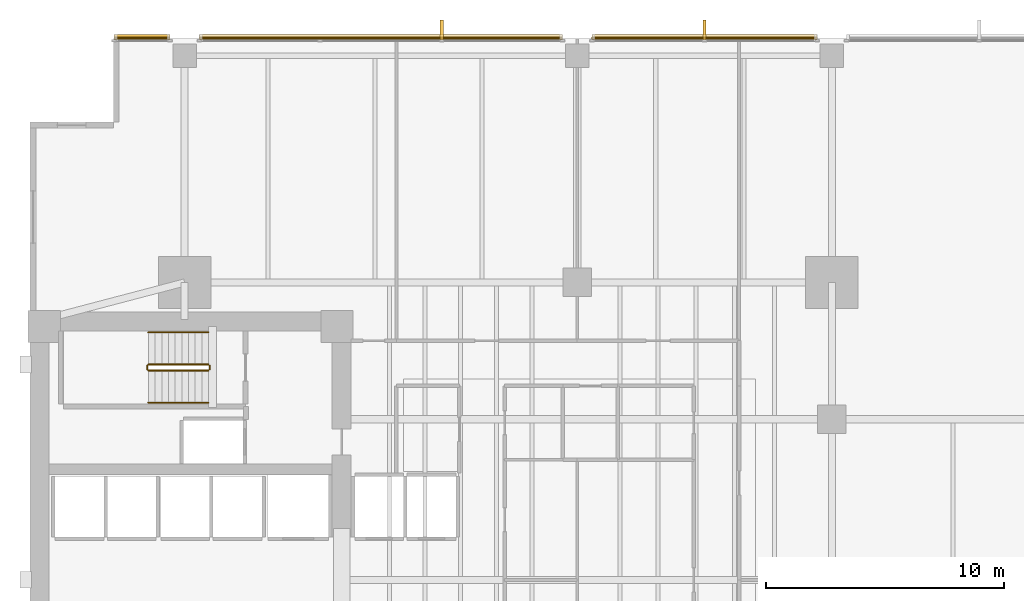
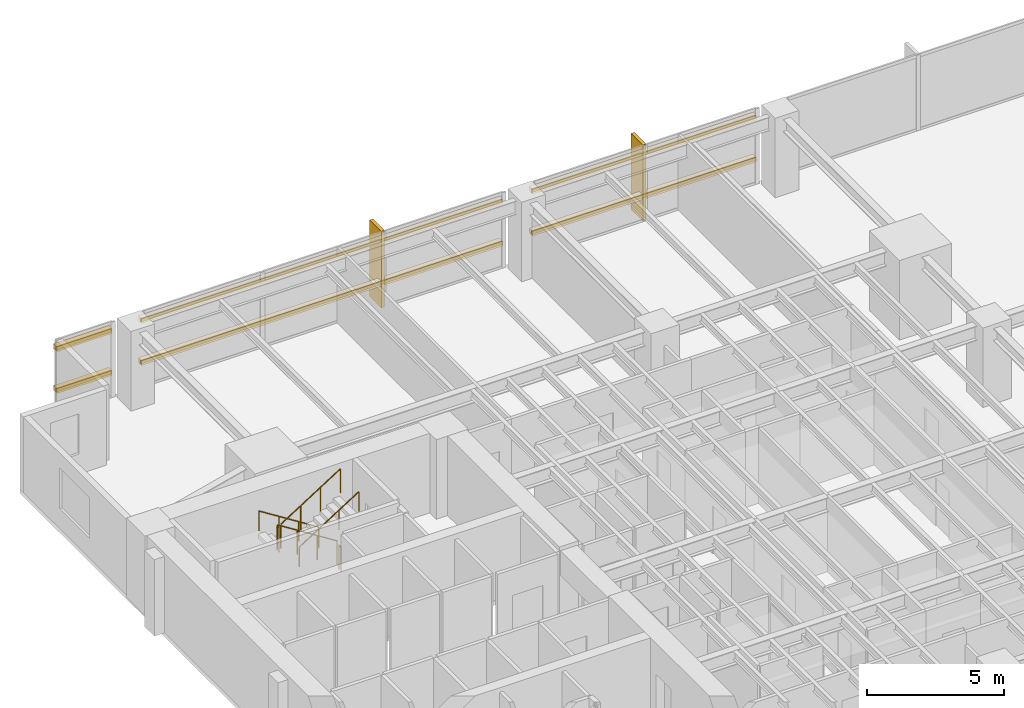
# One storey, part 14 of 15: 8 coverings, 6 railings, 6 shading devices.
"""IFC4 building model written with IfcOpenShell, lengths in metres."""

from ifc_helpers import new_model, si_unit, direction, frame, origin, origin_2d, place, context, subcontext, project, spatial, polyline, rectangle, circle, outline, extrude, material, layer, layer_set, material_profile, profile_set, type_object, element, save


model = new_model("IFC4")

# Units and contexts
model_context = context("Model", 3, precision=1e-05, world=origin(), true_north=direction((0.0, 1.0)))
body_context = subcontext(model_context, "Body", "Model", "MODEL_VIEW")
ifc_project = project(units=[si_unit("LENGTHUNIT", "METRE"), si_unit("AREAUNIT", "SQUARE_METRE"), si_unit("VOLUMEUNIT", "CUBIC_METRE"), si_unit("PLANEANGLEUNIT", "RADIAN"), si_unit("MASSUNIT", "GRAM", prefix="KILO")], contexts=[model_context])

# Site, building, storey
site_placement = place(None, origin())
site = spatial("IfcSite", under=ifc_project, at=site_placement, CompositionType="ELEMENT")
building_placement = place(site_placement, origin())
building = spatial("IfcBuilding", under=site, at=building_placement, Name="Kinhvarn Gate Tower", CompositionType="ELEMENT")
storey_placement = place(building_placement, frame((0.0, 0.0, 43.35009765625)))
storey = spatial("IfcBuildingStorey", under=building, at=storey_placement, Name="L10", CompositionType="ELEMENT", Elevation=43.35009765625)

# Coverings
ifc_material_1 = material(Name="Fired architectural terracotta", Category="masonry")
ifc_layer_1 = layer(ifc_material_1, 0.239990234375)
ifc_layer_set_1 = layer_set([ifc_layer_1], Name="Fired architectural terracotta")
covering_type_1 = type_object("IfcCoveringType", Name="COV-BAG-220", PredefinedType="CLADDING", material=ifc_layer_set_1)
for number, where, name in (
    (1, (0.0, 0.0, 0.93994140625), "Terracotta Horizontal Sunscreen Band TBG-220 (L10)"),
    (2, (0.0, 0.0, 2.809814453125), "Terracotta Horizontal Sunscreen Band TBG-220 (L10)"),
):
    element("IfcCovering", number, at=place(storey_placement, frame(where)), inside=storey, type_object=covering_type_1, Name=name, PredefinedType="CLADDING", context=body_context, shape_type="SweptSolid", body=[
        extrude(outline(polyline([(37.580078125, 47.93994140625), (28.1201171875, 47.93994140625), (28.1201171875, 48.179931640625), (37.580078125, 48.179931640625), (37.580078125, 47.93994140625)])), origin(), (0.0, 0.0, 1.0), 0.219970703125),
    ])
for number, where, name in (
    (3, (0.0, 0.0, 0.93994140625), "Terracotta Horizontal Sunscreen Band TBG-220 (L10)"),
    (4, (0.0, 0.0, 2.809814453125), "Terracotta Horizontal Sunscreen Band TBG-220 (L10)"),
):
    element("IfcCovering", number, at=place(storey_placement, frame(where)), inside=storey, type_object=covering_type_1, Name=name, PredefinedType="CLADDING", context=body_context, shape_type="SweptSolid", body=[
        extrude(outline(polyline([(26.8798828125, 47.93994140625), (11.6201171875, 47.93994140625), (11.6201171875, 48.179931640625), (26.8798828125, 48.179931640625), (26.8798828125, 47.93994140625)])), origin(), (0.0, 0.0, 1.0), 0.219970703125),
    ])
for number, where, name in (
    (5, (0.0, 0.0, 0.93994140625), "Terracotta Horizontal Sunscreen Band TBG-220 (L10)"),
    (6, (0.0, 0.0, 2.809814453125), "Terracotta Horizontal Sunscreen Band TBG-220 (L10)"),
):
    element("IfcCovering", number, at=place(storey_placement, frame(where)), inside=storey, type_object=covering_type_1, Name=name, PredefinedType="CLADDING", context=body_context, shape_type="SweptSolid", body=[
        extrude(outline(polyline([(10.3798828125, 47.93994140625), (8.0400390625, 47.93994140625), (8.0400390625, 48.179931640625), (10.3798828125, 48.179931640625), (10.3798828125, 47.93994140625)])), origin(), (0.0, 0.0, 1.0), 0.219970703125),
    ])
ifc_layer_2 = layer(ifc_material_1, 0.139892578125)
ifc_layer_set_2 = layer_set([ifc_layer_2], Name="Fired architectural terracotta")
covering_type_2 = type_object("IfcCoveringType", Name="COV-FIN-850", PredefinedType="CLADDING", material=ifc_layer_set_2)
covering_1_placement = place(storey_placement, frame((0.0, 0.0, -0.02001953125)))
element("IfcCovering", 7, at=covering_1_placement, inside=storey, type_object=covering_type_2, Name="Vertical Terracotta Expressive Fin TFN-850 (L10)", PredefinedType="CLADDING", context=body_context, shape_type="SweptSolid", body=[
    extrude(outline(polyline([(32.919921875, 47.929931640625), (32.780029296875, 47.929931640625), (32.780029296875, 48.780029296875), (32.919921875, 48.780029296875), (32.919921875, 47.929931640625)])), origin(), (0.0, 0.0, 1.0), 3.409912109375),
])
covering_2_placement = place(storey_placement, frame((0.0, 0.0, -0.02001953125)))
element("IfcCovering", 8, at=covering_2_placement, inside=storey, type_object=covering_type_2, Name="Vertical Terracotta Expressive Fin TFN-850 (L10)", PredefinedType="CLADDING", context=body_context, shape_type="SweptSolid", body=[
    extrude(outline(polyline([(21.876708984375, 47.929931640625), (21.73681640625, 47.929931640625), (21.73681640625, 48.780029296875), (21.876708984375, 48.780029296875), (21.876708984375, 47.929931640625)])), origin(), (0.0, 0.0, 1.0), 3.409912109375),
])

# Railings
ifc_material_2 = material(Name="Steel S355", Category="steel")
railing_type_1 = type_object("IfcRailingType", Name="RL-ST-GRD", PredefinedType="BALUSTRADE", material=ifc_material_2)
railing_1_placement = place(storey_placement, frame((12.0, 34.300048828125, 0.177490234375)))
element("IfcRailing", 9, at=railing_1_placement, inside=storey, type_object=railing_type_1, Name="L10 ST2 stair guard 1", PredefinedType="BALUSTRADE", context=body_context, shape_type="SweptSolid", body=[
    extrude(circle(Radius=0.02392578125, at=origin_2d()), frame((0.0, 0.0, 1.076171875), z_axis=(-0.84460694969, 0.0, 0.535386869969), x_axis=(0.0, -1.0, 0.0)), (0.0, 0.0, 1.0), 2.983642578125),
    extrude(circle(Radius=0.02099609375, at=origin_2d()), origin(), (0.0, 0.0, 1.0), 1.052001953125),
    extrude(circle(Radius=0.02099609375, at=origin_2d()), frame((-0.840087890625, 0.0, 0.532470703125)), (0.0, 0.0, 1.0), 1.052001953125),
    extrude(circle(Radius=0.02099609375, at=origin_2d()), frame((-1.679931640625, 0.0, 1.06494140625)), (0.0, 0.0, 1.0), 1.052001953125),
    extrude(circle(Radius=0.02099609375, at=origin_2d()), frame((-2.52001953125, 0.0, 1.597412109375)), (0.0, 0.0, 1.0), 1.052001953125),
])
railing_2_placement = place(storey_placement, frame((9.429931640625, 34.25, 1.77490234375)))
element("IfcRailing", 10, at=railing_2_placement, inside=storey, type_object=railing_type_1, Name="L10 ST2 stair guard 2", PredefinedType="BALUSTRADE", context=body_context, shape_type="SweptSolid", body=[
    extrude(circle(Radius=0.02392578125, at=origin_2d()), frame((0.0, 0.0, 1.076171875), z_axis=(0.0, -1.0, 0.0), x_axis=(1.0, 0.0, 0.0)), (0.0, 0.0, 1.0), 0.14990234375),
    extrude(circle(Radius=0.02099609375, at=origin_2d()), origin(), (0.0, 0.0, 1.0), 1.052001953125),
    extrude(circle(Radius=0.02099609375, at=origin_2d()), frame((0.0, -0.14990234375, 0.0)), (0.0, 0.0, 1.0), 1.052001953125),
])
railing_3_placement = place(storey_placement, frame((9.47998046875, 34.050048828125, 1.952392578125)))
element("IfcRailing", 11, at=railing_3_placement, inside=storey, type_object=railing_type_1, Name="L10 ST2 stair guard 3", PredefinedType="BALUSTRADE", context=body_context, shape_type="SweptSolid", body=[
    extrude(circle(Radius=0.02392578125, at=origin_2d()), frame((0.0, 0.0, 1.076171875), z_axis=(0.84460694969, 0.0, 0.535386869969), x_axis=(0.0, 1.0, 0.0)), (0.0, 0.0, 1.0), 2.983642578125),
    extrude(circle(Radius=0.02099609375, at=origin_2d()), origin(), (0.0, 0.0, 1.0), 1.052001953125),
    extrude(circle(Radius=0.02099609375, at=origin_2d()), frame((0.840087890625, 0.0, 0.532470703125)), (0.0, 0.0, 1.0), 1.052001953125),
    extrude(circle(Radius=0.02099609375, at=origin_2d()), frame((1.679931640625, 0.0, 1.06494140625)), (0.0, 0.0, 1.0), 1.052001953125),
    extrude(circle(Radius=0.02099609375, at=origin_2d()), frame((2.52001953125, 0.0, 1.597412109375)), (0.0, 0.0, 1.0), 1.052001953125),
])
railing_4_placement = place(storey_placement, frame((12.050048828125, 34.25, 0.0)))
element("IfcRailing", 12, at=railing_4_placement, inside=storey, type_object=railing_type_1, Name="L10 ST2 stair guard 4", PredefinedType="BALUSTRADE", context=body_context, shape_type="SweptSolid", body=[
    extrude(circle(Radius=0.02392578125, at=origin_2d()), frame((0.0, 0.0, 1.076171875), z_axis=(0.0, -1.0, 0.0), x_axis=(1.0, 0.0, 0.0)), (0.0, 0.0, 1.0), 0.14990234375),
    extrude(circle(Radius=0.02099609375, at=origin_2d()), origin(), (0.0, 0.0, 1.0), 1.052001953125),
    extrude(circle(Radius=0.02099609375, at=origin_2d()), frame((0.0, -0.14990234375, 0.0)), (0.0, 0.0, 1.0), 1.052001953125),
])
railing_type_2 = type_object("IfcRailingType", Name="RL-ST-HND", PredefinedType="HANDRAIL", material=ifc_material_2)
railing_5_placement = place(storey_placement, frame((12.0, 35.64990234375, 0.177490234375)))
element("IfcRailing", 13, at=railing_5_placement, inside=storey, type_object=railing_type_2, Name="L10 ST2 stair handrail 1", PredefinedType="HANDRAIL", context=body_context, shape_type="SweptSolid", body=[
    extrude(circle(Radius=0.02392578125, at=origin_2d()), frame((0.0, 0.0, 0.8759765625), z_axis=(-0.84460694969, 0.0, 0.535386869969), x_axis=(0.0, -1.0, 0.0)), (0.0, 0.0, 1.0), 2.983642578125),
    extrude(circle(Radius=0.02099609375, at=origin_2d()), origin(), (0.0, 0.0, 1.0), 0.851806640625),
    extrude(circle(Radius=0.02099609375, at=origin_2d()), frame((-0.840087890625, 0.0, 0.532470703125)), (0.0, 0.0, 1.0), 0.851806640625),
    extrude(circle(Radius=0.02099609375, at=origin_2d()), frame((-1.679931640625, 0.0, 1.06494140625)), (0.0, 0.0, 1.0), 0.851806640625),
    extrude(circle(Radius=0.02099609375, at=origin_2d()), frame((-2.52001953125, 0.0, 1.597412109375)), (0.0, 0.0, 1.0), 0.851806640625),
])
railing_6_placement = place(storey_placement, frame((9.47998046875, 32.699951171875, 1.952392578125)))
element("IfcRailing", 14, at=railing_6_placement, inside=storey, type_object=railing_type_2, Name="L10 ST2 stair handrail 2", PredefinedType="HANDRAIL", context=body_context, shape_type="SweptSolid", body=[
    extrude(circle(Radius=0.02392578125, at=origin_2d()), frame((0.0, 0.0, 0.8759765625), z_axis=(0.84460694969, 0.0, 0.535386869969), x_axis=(0.0, 1.0, 0.0)), (0.0, 0.0, 1.0), 2.983642578125),
    extrude(circle(Radius=0.02099609375, at=origin_2d()), origin(), (0.0, 0.0, 1.0), 0.851806640625),
    extrude(circle(Radius=0.02099609375, at=origin_2d()), frame((0.840087890625, 0.0, 0.532470703125)), (0.0, 0.0, 1.0), 0.851806640625),
    extrude(circle(Radius=0.02099609375, at=origin_2d()), frame((1.679931640625, 0.0, 1.06494140625)), (0.0, 0.0, 1.0), 0.851806640625),
    extrude(circle(Radius=0.02099609375, at=origin_2d()), frame((2.52001953125, 0.0, 1.597412109375)), (0.0, 0.0, 1.0), 0.851806640625),
])

# Shading devices
ifc_material_profile = material_profile(ifc_material_1, rectangle(XDim=0.06005859375, YDim=0.139892578125, at=origin_2d()), Name="TC 60x140")
ifc_profile_set = profile_set([ifc_material_profile], Name="Fired architectural terracotta")
shading_device_type = type_object("IfcShadingDeviceType", Name="SHD-BAG-180", PredefinedType="USERDEFINED", material=ifc_profile_set)
for number, where, z_axis, x_axis, name in (
    (15, (37.580078125, 48.014892578125, 1.0498046875), (-1.0, 0.0, 0.0), (0.0, -1.0, 0.0), "Fired Terracotta Baguette Screen Rod 60x140 mm (L10)"),
    (16, (37.580078125, 48.014892578125, 2.919921875), (-1.0, 0.0, 0.0), (0.0, -1.0, 0.0), "Fired Terracotta Baguette Screen Rod 60x140 mm (L10)"),
):
    element("IfcShadingDevice", number, at=place(storey_placement, frame(where, z_axis=z_axis, x_axis=x_axis)), inside=storey, type_object=shading_device_type, Name=name, ObjectType="BAGUETTE", PredefinedType="USERDEFINED", context=body_context, shape_type="SweptSolid", body=[
        extrude(rectangle(XDim=0.06005859375, YDim=0.139892578125, at=origin_2d()), origin(), (0.0, 0.0, 1.0), 9.4599609375),
    ])
for number, where, z_axis, x_axis, name in (
    (17, (26.8798828125, 48.014892578125, 1.0498046875), (-1.0, 0.0, 0.0), (0.0, -1.0, 0.0), "Fired Terracotta Baguette Screen Rod 60x140 mm (L10)"),
    (18, (26.8798828125, 48.014892578125, 2.919921875), (-1.0, 0.0, 0.0), (0.0, -1.0, 0.0), "Fired Terracotta Baguette Screen Rod 60x140 mm (L10)"),
):
    element("IfcShadingDevice", number, at=place(storey_placement, frame(where, z_axis=z_axis, x_axis=x_axis)), inside=storey, type_object=shading_device_type, Name=name, ObjectType="BAGUETTE", PredefinedType="USERDEFINED", context=body_context, shape_type="SweptSolid", body=[
        extrude(rectangle(XDim=0.06005859375, YDim=0.139892578125, at=origin_2d()), origin(), (0.0, 0.0, 1.0), 15.259765625),
    ])
for number, where, z_axis, x_axis, name in (
    (19, (10.3798828125, 48.014892578125, 1.0498046875), (-1.0, 0.0, 0.0), (0.0, -1.0, 0.0), "Fired Terracotta Baguette Screen Rod 60x140 mm (L10)"),
    (20, (10.3798828125, 48.014892578125, 2.919921875), (-1.0, 0.0, 0.0), (0.0, -1.0, 0.0), "Fired Terracotta Baguette Screen Rod 60x140 mm (L10)"),
):
    element("IfcShadingDevice", number, at=place(storey_placement, frame(where, z_axis=z_axis, x_axis=x_axis)), inside=storey, type_object=shading_device_type, Name=name, ObjectType="BAGUETTE", PredefinedType="USERDEFINED", context=body_context, shape_type="SweptSolid", body=[
        extrude(rectangle(XDim=0.06005859375, YDim=0.139892578125, at=origin_2d()), origin(), (0.0, 0.0, 1.0), 2.33984375),
    ])

save(model, "model.ifc")
